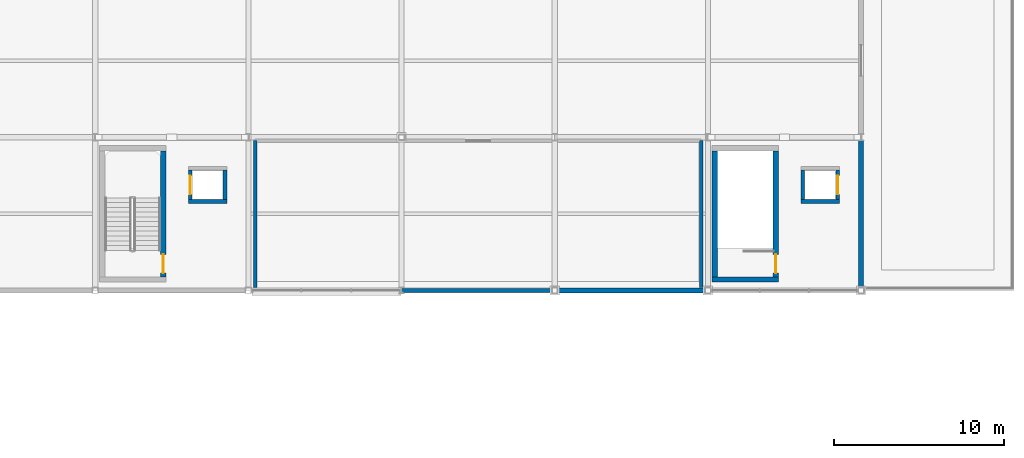
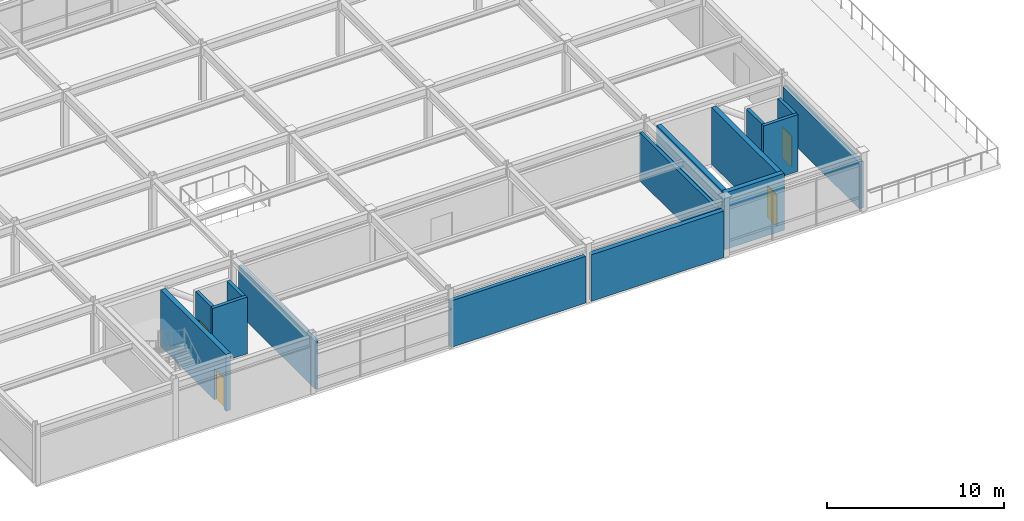
# One storey, part 29 of 40: 15 walls, 4 doors, 4 openings.
"""IFC4 building model written with IfcOpenShell, lengths in metres."""

from ifc_helpers import new_model, si_unit, direction, frame, frame_2d, origin, place, context, subcontext, project, spatial, rectangle, extrude, material, layer, layer_set, type_object, element, fill, save


model = new_model("IFC4")

# Units and contexts
model_context = context("Model", 3, precision=1e-05, world=origin(), true_north=direction((0.0, 1.0)))
body_context = subcontext(model_context, "Body", "Model", "MODEL_VIEW")
ifc_project = project(units=[si_unit("LENGTHUNIT", "METRE"), si_unit("AREAUNIT", "SQUARE_METRE"), si_unit("VOLUMEUNIT", "CUBIC_METRE"), si_unit("PLANEANGLEUNIT", "RADIAN"), si_unit("MASSUNIT", "GRAM", prefix="KILO")], contexts=[model_context])

# Site, building, storey
site_placement = place(None, origin())
site = spatial("IfcSite", under=ifc_project, at=site_placement, CompositionType="ELEMENT")
building_placement = place(site_placement, origin())
building = spatial("IfcBuilding", under=site, at=building_placement, Name="Suzunagisa Mobility Hub", CompositionType="ELEMENT")
storey_placement = place(building_placement, frame((0.0, 0.0, 21.89990234375)))
storey = spatial("IfcBuildingStorey", under=building, at=storey_placement, Name="L05", CompositionType="ELEMENT", Elevation=21.89990234375)

# Walls
ifc_material_1 = material(Name="Lightweight Insulated Autoclaved Concrete C30/37 Wall", Category="concrete")
ifc_layer_1 = layer(ifc_material_1, 0.239990234375)
ifc_layer_set_1 = layer_set([ifc_layer_1], Name="Lightweight Insulated Autoclaved Concrete C30/37 Wall")
wall_type_1 = type_object("IfcWallType", Name="Exterior Wall EW-04 240mm", PredefinedType="SOLIDWALL", material=ifc_layer_set_1)
wall_1_placement = place(storey_placement, frame((72.00439453125, 80.0, 0.0), z_axis=(0.0, 0.0, 1.0), x_axis=(1.0, 0.0, 0.0)))
element("IfcWall", 1, at=wall_1_placement, inside=storey, type_object=wall_type_1, Name="L05 Exterior Facade Wall EW-243", PredefinedType="SOLIDWALL", context=body_context, shape_type="SweptSolid", body=[
    extrude(rectangle(XDim=8.820556640625, YDim=0.239990234375, at=frame_2d((4.41015625, 0.0))), origin(), (0.0, 0.0, 1.0), 3.22021484375),
])
ifc_material_2 = material(Name="Porcelain-Faced Insulated Concrete C30/37 Wall", Category="concrete")
ifc_layer_2 = layer(ifc_material_2, 0.280029296875)
ifc_layer_set_2 = layer_set([ifc_layer_2], Name="Porcelain-Faced Insulated Concrete C30/37 Wall")
wall_type_2 = type_object("IfcWallType", Name="Exterior Wall EW-08 280mm", PredefinedType="SOLIDWALL", material=ifc_layer_set_2)
wall_2_placement = place(storey_placement, frame((99.0, 80.175048828125, 0.0), z_axis=(0.0, 0.0, 1.0), x_axis=(0.0, 1.0, 0.0)))
element("IfcWall", 2, at=wall_2_placement, inside=storey, type_object=wall_type_2, Name="L05 Terrace Access Wall 245", PredefinedType="SOLIDWALL", context=body_context, shape_type="SweptSolid", body=[
    extrude(rectangle(XDim=8.6298828125, YDim=0.280029296875, at=frame_2d((4.31494140625, 0.0))), origin(), (0.0, 0.0, 1.0), 3.22021484375),
])
ifc_material_3 = material(Name="Insulated Precast Concrete C35/45 Panel", Category="concrete")
ifc_layer_3 = layer(ifc_material_3, 0.300048828125)
ifc_layer_set_3 = layer_set([ifc_layer_3], Name="Insulated Precast Concrete C35/45 Panel")
wall_type_3 = type_object("IfcWallType", Name="Exterior Wall EW-09 300mm", PredefinedType="SOLIDWALL", material=ifc_layer_set_3)
wall_3_placement = place(storey_placement, frame((81.175048828125, 80.0, 0.0), z_axis=(0.0, 0.0, 1.0), x_axis=(1.0, 0.0, 0.0)))
element("IfcWall", 3, at=wall_3_placement, inside=storey, type_object=wall_type_3, Name="L05 Exterior Facade Wall EW-244", PredefinedType="SOLIDWALL", context=body_context, shape_type="SweptSolid", body=[
    extrude(rectangle(XDim=8.64990234375, YDim=0.300048828125, at=frame_2d((4.324951171875, 0.0))), origin(), (0.0, 0.0, 1.0), 3.22021484375),
])

# Wall, opening, door
ifc_material_4 = material(Name="Concrete C35/45", Category="concrete")
ifc_layer_4 = layer(ifc_material_4, 0.31005859375)
ifc_layer_set_4 = layer_set([ifc_layer_4], Name="Concrete C35/45")
wall_type_4 = type_object("IfcWallType", Name="Interior Wall IW-01 310mm", PredefinedType="SHEAR", material=ifc_layer_set_4)
wall_4_placement = place(storey_placement, frame((57.9951171875, 80.800048828125, 0.0), z_axis=(0.0, 0.0, 1.0), x_axis=(0.0, 1.0, 0.0)))
wall_4 = element("IfcWall", 4, at=wall_4_placement, inside=storey, type_object=wall_type_4, Name="L05 Core C3 Shear Wall SW-232", PredefinedType="SHEAR", context=body_context, shape_type="SweptSolid", body=[
    extrude(rectangle(XDim=7.39990234375, YDim=0.31005859375, at=frame_2d((3.699951171875, 0.0))), origin(), (0.0, 0.0, 1.0), 3.920166015625),
])
opening_1_placement = place(wall_4_placement, frame((0.219970703125, 0.0, 0.0)))
opening_1 = element("IfcOpeningElement", 5, at=opening_1_placement, cuts=wall_4, Name="Opening DR-05", PredefinedType="OPENING", context=body_context, shape_type="SweptSolid", body=[
    extrude(rectangle(XDim=1.10009765625, YDim=2.14990234375, at=frame_2d((0.550048828125, 1.074951171875))), frame((0.0, 0.166015625, 0.0), z_axis=(0.0, -1.0, 0.0), x_axis=(1.0, 0.0, 0.0)), (0.0, 0.0, 1.0), 0.33203125),
])
ifc_material_5 = material(Name="Fire-Rated Hollow Steel Stair Door", Category="steel")
door_type_1 = type_object("IfcDoorType", Name="Interior Door DR-05 1100x2150", OperationType="SINGLE_SWING_LEFT", PredefinedType="DOOR", material=ifc_material_5)
door_1_placement = place(opening_1_placement, origin())
door_1 = element("IfcDoor", 6, at=door_1_placement, inside=storey, type_object=door_type_1, Name="L05 Core C3 Escape Stair Fire Door SD-56", OperationType="SINGLE_SWING_LEFT", OverallHeight=2.14990234375, OverallWidth=1.10009765625, PredefinedType="DOOR", context=body_context, shape_type="SweptSolid", body=[
    extrude(rectangle(XDim=1.10009765625, YDim=2.14990234375, at=frame_2d((0.550048828125, 1.074951171875))), frame((0.0, 0.02490234375, 0.0), z_axis=(0.0, -1.0, 0.0), x_axis=(1.0, 0.0, 0.0)), (0.0, 0.0, 1.0), 0.050048828125),
])
fill(opening_1, door_1)

# Walls
wall_5_placement = place(storey_placement, frame((90.25, 80.64501953125, 0.0), z_axis=(0.0, 0.0, 1.0), x_axis=(1.0, 0.0, 0.0)))
element("IfcWall", 7, at=wall_5_placement, inside=storey, type_object=wall_type_4, Name="L05 Core C4 Shear Wall SW-293", PredefinedType="SHEAR", context=body_context, shape_type="SweptSolid", body=[
    extrude(rectangle(XDim=3.89990234375, YDim=0.31005859375, at=frame_2d((1.949951171875, 0.0))), origin(), (0.0, 0.0, 1.0), 3.920166015625),
])
wall_6_placement = place(storey_placement, frame((90.405029296875, 80.800048828125, 0.0), z_axis=(0.0, 0.0, 1.0), x_axis=(0.0, 1.0, 0.0)))
element("IfcWall", 8, at=wall_6_placement, inside=storey, type_object=wall_type_4, Name="L05 Core C4 Shear Wall SW-295", PredefinedType="SHEAR", context=body_context, shape_type="SweptSolid", body=[
    extrude(rectangle(XDim=7.39990234375, YDim=0.31005859375, at=frame_2d((3.699951171875, 0.0))), origin(), (0.0, 0.0, 1.0), 3.920166015625),
])

# Wall, opening, door
wall_7_placement = place(storey_placement, frame((93.9951171875, 80.800048828125, 0.0), z_axis=(0.0, 0.0, 1.0), x_axis=(0.0, 1.0, 0.0)))
wall_7 = element("IfcWall", 9, at=wall_7_placement, inside=storey, type_object=wall_type_4, Name="L05 Core C4 Shear Wall SW-296", PredefinedType="SHEAR", context=body_context, shape_type="SweptSolid", body=[
    extrude(rectangle(XDim=7.39990234375, YDim=0.31005859375, at=frame_2d((3.699951171875, 0.0))), origin(), (0.0, 0.0, 1.0), 3.920166015625),
])
opening_2_placement = place(wall_7_placement, frame((0.219970703125, 0.0, 0.0)))
opening_2 = element("IfcOpeningElement", 10, at=opening_2_placement, cuts=wall_7, Name="Opening DR-05", PredefinedType="OPENING", context=body_context, shape_type="SweptSolid", body=[
    extrude(rectangle(XDim=1.10009765625, YDim=2.14990234375, at=frame_2d((0.550048828125, 1.074951171875))), frame((0.0, 0.166015625, 0.0), z_axis=(0.0, -1.0, 0.0), x_axis=(1.0, 0.0, 0.0)), (0.0, 0.0, 1.0), 0.33203125),
])
door_2_placement = place(opening_2_placement, origin())
door_2 = element("IfcDoor", 11, at=door_2_placement, inside=storey, type_object=door_type_1, Name="L05 Core C4 Escape Stair Fire Door SD-72", OperationType="SINGLE_SWING_LEFT", OverallHeight=2.14990234375, OverallWidth=1.10009765625, PredefinedType="DOOR", context=body_context, shape_type="SweptSolid", body=[
    extrude(rectangle(XDim=1.10009765625, YDim=2.14990234375, at=frame_2d((0.550048828125, 1.074951171875))), frame((0.0, 0.02490234375, 0.0), z_axis=(0.0, -1.0, 0.0), x_axis=(1.0, 0.0, 0.0)), (0.0, 0.0, 1.0), 0.050048828125),
])
fill(opening_2, door_2)

ifc_material_6 = material(Name="Fire-Rated Gypsum Stud Partition", Category="gypsum")
ifc_layer_5 = layer(ifc_material_6, 0.2099609375)
ifc_layer_set_5 = layer_set([ifc_layer_5], Name="Fire-Rated Gypsum Stud Partition")
wall_type_5 = type_object("IfcWallType", Name="Interior Wall IW-03 210mm", PredefinedType="PARTITIONING", material=ifc_layer_set_5)
wall_8_placement = place(storey_placement, frame((59.574951171875, 85.330078125, 0.0), z_axis=(0.0, 0.0, 1.0), x_axis=(0.0, 1.0, 0.0)))
wall_8 = element("IfcWall", 12, at=wall_8_placement, inside=storey, type_object=wall_type_5, Name="L05 Lift LF-04 Shaft Front Wall", PredefinedType="PARTITIONING", context=body_context, shape_type="SweptSolid", body=[
    extrude(rectangle(XDim=1.739990234375, YDim=0.2099609375, at=frame_2d((0.8701171875, 0.0))), origin(), (0.0, 0.0, 1.0), 3.920166015625),
])
opening_3_placement = place(wall_8_placement, frame((0.320068359375, 0.0, 0.0)))
opening_3 = element("IfcOpeningElement", 13, at=opening_3_placement, cuts=wall_8, Name="Opening LD-01", PredefinedType="OPENING", context=body_context, shape_type="SweptSolid", body=[
    extrude(rectangle(XDim=1.10009765625, YDim=2.14990234375, at=frame_2d((0.550048828125, 1.074951171875))), frame((0.0, 0.115966796875, 0.0), z_axis=(0.0, -1.0, 0.0), x_axis=(1.0, 0.0, 0.0)), (0.0, 0.0, 1.0), 0.23193359375),
])
ifc_material_7 = material(Name="Brushed Stainless Steel SUS304", Category="metal")
door_type_2 = type_object("IfcDoorType", Name="Lift Landing Sliding Door LD-01 1100x2150", OperationType="SLIDING_TO_LEFT", PredefinedType="DOOR", material=ifc_material_7)
door_3_placement = place(opening_3_placement, origin())
door_3 = element("IfcDoor", 14, at=door_3_placement, inside=storey, type_object=door_type_2, Name="L05 Lift LF-04 Sliding Landing Door", OperationType="SLIDING_TO_LEFT", OverallHeight=2.14990234375, OverallWidth=1.10009765625, PredefinedType="DOOR", context=body_context, shape_type="SweptSolid", body=[
    extrude(rectangle(XDim=1.10009765625, YDim=2.14990234375, at=frame_2d((0.550048828125, 1.074951171875))), frame((0.0, 0.02490234375, 0.0), z_axis=(0.0, -1.0, 0.0), x_axis=(1.0, 0.0, 0.0)), (0.0, 0.0, 1.0), 0.050048828125),
])
fill(opening_3, door_3)

# Walls
wall_9_placement = place(storey_placement, frame((61.625, 85.330078125, 0.0), z_axis=(0.0, 0.0, 1.0), x_axis=(0.0, 1.0, 0.0)))
element("IfcWall", 15, at=wall_9_placement, inside=storey, type_object=wall_type_5, Name="L05 Lift LF-04 Shaft Back Wall", PredefinedType="PARTITIONING", context=body_context, shape_type="SweptSolid", body=[
    extrude(rectangle(XDim=1.739990234375, YDim=0.2099609375, at=frame_2d((0.8701171875, 0.0))), origin(), (0.0, 0.0, 1.0), 3.920166015625),
])
wall_10_placement = place(storey_placement, frame((59.469970703125, 85.22509765625, 0.0), z_axis=(0.0, 0.0, 1.0), x_axis=(1.0, 0.0, 0.0)))
element("IfcWall", 16, at=wall_10_placement, inside=storey, type_object=wall_type_5, Name="L05 Lift LF-04 Shaft South Wall", PredefinedType="PARTITIONING", context=body_context, shape_type="SweptSolid", body=[
    extrude(rectangle(XDim=2.260009765625, YDim=0.2099609375, at=frame_2d((1.1298828125, 0.0))), origin(), (0.0, 0.0, 1.0), 3.920166015625),
])

# Wall, opening, door
wall_11_placement = place(storey_placement, frame((97.625, 85.330078125, 0.0), z_axis=(0.0, 0.0, 1.0), x_axis=(0.0, 1.0, 0.0)))
wall_11 = element("IfcWall", 17, at=wall_11_placement, inside=storey, type_object=wall_type_5, Name="L05 Lift LF-07 Shaft Front Wall", PredefinedType="PARTITIONING", context=body_context, shape_type="SweptSolid", body=[
    extrude(rectangle(XDim=1.739990234375, YDim=0.2099609375, at=frame_2d((0.8701171875, 0.0))), origin(), (0.0, 0.0, 1.0), 3.920166015625),
])
opening_4_placement = place(wall_11_placement, frame((0.320068359375, 0.0, 0.0)))
opening_4 = element("IfcOpeningElement", 18, at=opening_4_placement, cuts=wall_11, Name="Opening LD-01", PredefinedType="OPENING", context=body_context, shape_type="SweptSolid", body=[
    extrude(rectangle(XDim=1.10009765625, YDim=2.14990234375, at=frame_2d((0.550048828125, 1.074951171875))), frame((0.0, 0.115966796875, 0.0), z_axis=(0.0, -1.0, 0.0), x_axis=(1.0, 0.0, 0.0)), (0.0, 0.0, 1.0), 0.23193359375),
])
door_4_placement = place(opening_4_placement, origin())
door_4 = element("IfcDoor", 19, at=door_4_placement, inside=storey, type_object=door_type_2, Name="L05 Lift LF-07 Sliding Landing Door", OperationType="SLIDING_TO_LEFT", OverallHeight=2.14990234375, OverallWidth=1.10009765625, PredefinedType="DOOR", context=body_context, shape_type="SweptSolid", body=[
    extrude(rectangle(XDim=1.10009765625, YDim=2.14990234375, at=frame_2d((0.550048828125, 1.074951171875))), frame((0.0, 0.02490234375, 0.0), z_axis=(0.0, -1.0, 0.0), x_axis=(1.0, 0.0, 0.0)), (0.0, 0.0, 1.0), 0.050048828125),
])
fill(opening_4, door_4)

# Walls
wall_12_placement = place(storey_placement, frame((95.574951171875, 85.330078125, 0.0), z_axis=(0.0, 0.0, 1.0), x_axis=(0.0, 1.0, 0.0)))
element("IfcWall", 20, at=wall_12_placement, inside=storey, type_object=wall_type_5, Name="L05 Lift LF-07 Shaft Back Wall", PredefinedType="PARTITIONING", context=body_context, shape_type="SweptSolid", body=[
    extrude(rectangle(XDim=1.739990234375, YDim=0.2099609375, at=frame_2d((0.8701171875, 0.0))), origin(), (0.0, 0.0, 1.0), 3.920166015625),
])
wall_13_placement = place(storey_placement, frame((95.469970703125, 85.22509765625, 0.0), z_axis=(0.0, 0.0, 1.0), x_axis=(1.0, 0.0, 0.0)))
element("IfcWall", 21, at=wall_13_placement, inside=storey, type_object=wall_type_5, Name="L05 Lift LF-07 Shaft South Wall", PredefinedType="PARTITIONING", context=body_context, shape_type="SweptSolid", body=[
    extrude(rectangle(XDim=2.260009765625, YDim=0.2099609375, at=frame_2d((1.1298828125, 0.0))), origin(), (0.0, 0.0, 1.0), 3.920166015625),
])
for number, where, z_axis, x_axis, name in (
    (22, (63.39990234375, 80.1650390625, 0.0), (0.0, 0.0, 1.0), (0.0, 1.0, 0.0), "L05 PV Inverter and Battery Buffer Switchroom L05 Partition PW-881"),
    (23, (89.60009765625, 80.1650390625, 0.0), (0.0, 0.0, 1.0), (0.0, 1.0, 0.0), "L05 PV Inverter and Battery Buffer Switchroom L05 Partition PW-882"),
):
    element("IfcWall", number, at=place(storey_placement, frame(where, z_axis=z_axis, x_axis=x_axis)), inside=storey, type_object=wall_type_5, Name=name, PredefinedType="PARTITIONING", context=body_context, shape_type="SweptSolid", body=[
        extrude(rectangle(XDim=8.635009765625, YDim=0.2099609375, at=frame_2d((4.3173828125, 0.0))), origin(), (0.0, 0.0, 1.0), 3.33203125),
    ])

save(model, "model.ifc")
